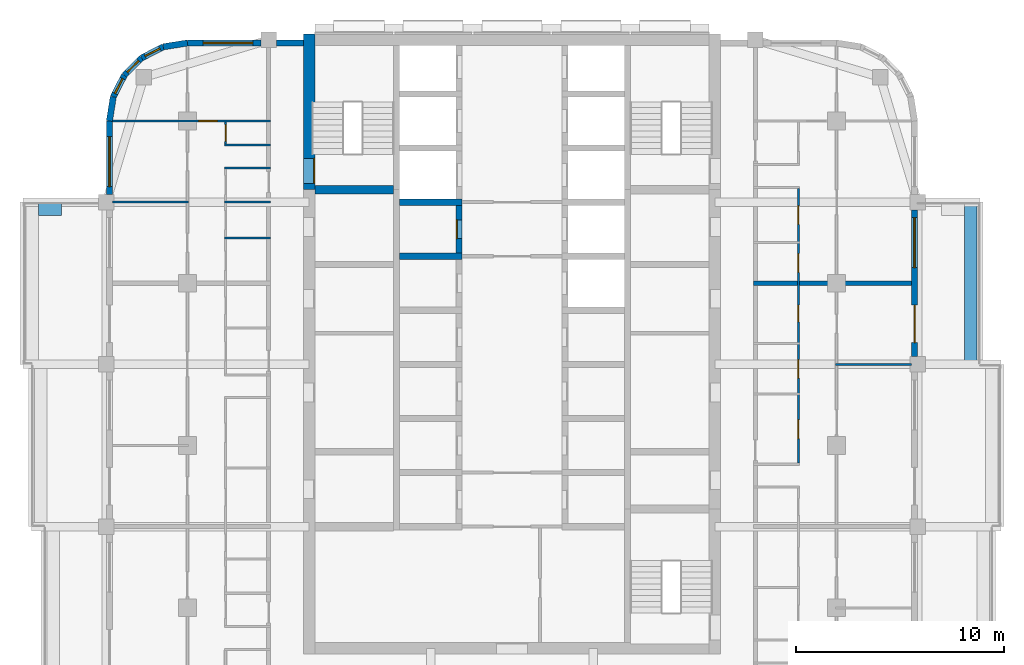
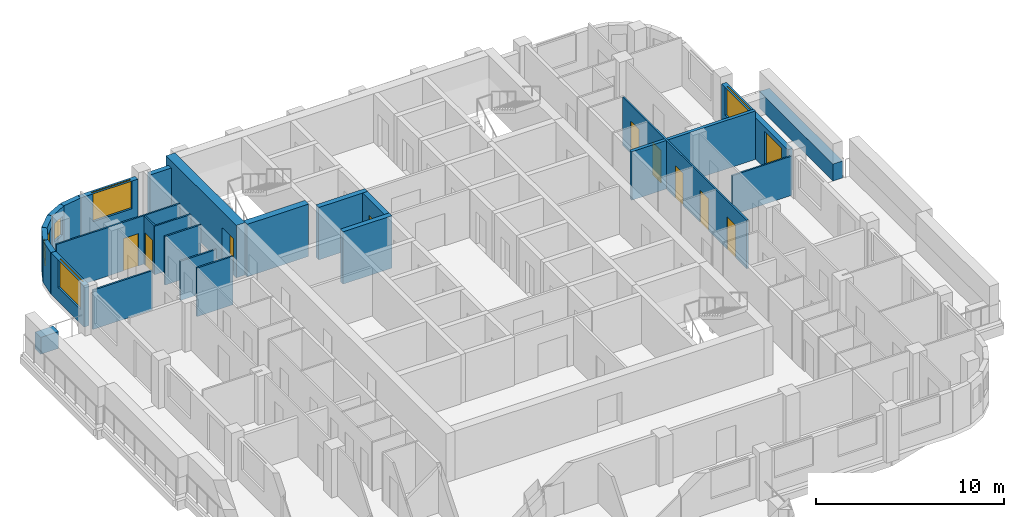
# One storey, part 7 of 13: 26 walls, 10 doors, 6 windows, 16 openings.
"""IFC4 building model written with IfcOpenShell, lengths in metres."""

from ifc_helpers import new_model, si_unit, direction, frame, frame_2d, origin, place, context, subcontext, project, spatial, rectangle, extrude, material, layer, layer_set, type_object, element, fill, save


model = new_model("IFC4")

# Units and contexts
model_context = context("Model", 3, precision=1e-05, world=origin(), true_north=direction((0.0, 1.0)))
body_context = subcontext(model_context, "Body", "Model", "MODEL_VIEW")
ifc_project = project(units=[si_unit("LENGTHUNIT", "METRE"), si_unit("AREAUNIT", "SQUARE_METRE"), si_unit("VOLUMEUNIT", "CUBIC_METRE"), si_unit("PLANEANGLEUNIT", "RADIAN"), si_unit("MASSUNIT", "GRAM", prefix="KILO")], contexts=[model_context])

# Site, building, storey
site_placement = place(None, origin())
site = spatial("IfcSite", under=ifc_project, at=site_placement, CompositionType="ELEMENT")
building_placement = place(site_placement, origin())
building = spatial("IfcBuilding", under=site, at=building_placement, Name="Ludao Terraces", CompositionType="ELEMENT")
storey_placement = place(building_placement, frame((0.0, 0.0, 165.60009765625)))
storey = spatial("IfcBuildingStorey", under=building, at=storey_placement, Name="L45", CompositionType="ELEMENT", Elevation=165.60009765625)

# Wall, opening, door
ifc_material_1 = material(Name="Concrete C60", Category="concrete")
ifc_layer_1 = layer(ifc_material_1, 0.550048828125)
ifc_layer_set_1 = layer_set([ifc_layer_1], Name="Core wall 550 C60")
wall_type_1 = type_object("IfcWallType", Name="Core wall 550 C60", PredefinedType="SOLIDWALL", material=ifc_layer_set_1)
wall_1_placement = place(storey_placement, frame((75.25, 77.300048828125, -0.25), z_axis=(0.0, 0.0, 1.0), x_axis=(0.0, 1.0, 0.0)))
wall_1 = element("IfcWall", 1, at=wall_1_placement, inside=storey, type_object=wall_type_1, Name="Core wall L45 outer-W-S1", PredefinedType="SOLIDWALL", context=body_context, shape_type="SweptSolid", body=[
    extrude(rectangle(XDim=7.474853515625, YDim=0.550048828125, at=frame_2d((3.7373046875, 0.0))), origin(), (0.0, 0.0, 1.0), 3.39990234375),
])
opening_1_placement = place(wall_1_placement, frame((0.300048828125, 0.0, 0.25)))
opening_1 = element("IfcOpeningElement", 2, at=opening_1_placement, cuts=wall_1, Name="Opening R15-075", PredefinedType="OPENING", context=body_context, shape_type="SweptSolid", body=[
    extrude(rectangle(XDim=1.199951171875, YDim=2.10009765625, at=frame_2d((0.60009765625, 1.050048828125))), frame((0.0, 0.28515625, 0.0), z_axis=(0.0, -1.0, 0.0), x_axis=(1.0, 0.0, 0.0)), (0.0, 0.0, 1.0), 0.570068359375),
])
ifc_material_2 = material(Name="Steel Q235", Category="steel")
door_type_1 = type_object("IfcDoorType", Name="INT Stair door 1200", OperationType="DOUBLE_DOOR_SINGLE_SWING", PredefinedType="DOOR", material=ifc_material_2)
door_1_placement = place(opening_1_placement, origin())
door_1 = element("IfcDoor", 3, at=door_1_placement, inside=storey, type_object=door_type_1, Name="DOOR 075", OperationType="DOUBLE_DOOR_SINGLE_SWING", OverallHeight=2.10009765625, OverallWidth=1.199951171875, PredefinedType="DOOR", context=body_context, shape_type="SweptSolid", body=[
    extrude(rectangle(XDim=1.199951171875, YDim=2.10009765625, at=frame_2d((0.60009765625, 1.050048828125))), frame((0.0, -0.2099609375, 0.0), z_axis=(0.0, -1.0, 0.0), x_axis=(1.0, 0.0, 0.0)), (0.0, 0.0, 1.0), 0.050048828125),
])
fill(opening_1, door_1)

# Walls
ifc_material_3 = material(Name="Concrete C40", Category="concrete")
ifc_layer_2 = layer(ifc_material_3, 0.60009765625)
ifc_layer_set_2 = layer_set([ifc_layer_2], Name="ENV Planter trough 600")
wall_type_2 = type_object("IfcWallType", Name="ENV Planter trough 600", PredefinedType="USERDEFINED", material=ifc_layer_set_2)
wall_2_placement = place(storey_placement, frame((107.050048828125, 68.89990234375, 0.0), z_axis=(0.0, 0.0, 1.0), x_axis=(0.0, 1.0, 0.0)))
element("IfcWall", 4, at=wall_2_placement, inside=storey, type_object=wall_type_2, Name="PL-L45-E3", ObjectType="PLANTER", PredefinedType="USERDEFINED", context=body_context, shape_type="SweptSolid", body=[
    extrude(rectangle(XDim=7.800048828125, YDim=0.60009765625, at=frame_2d((3.89990234375, 0.0))), origin(), (0.0, 0.0, 1.0), 1.099853515625),
])
wall_3_placement = place(storey_placement, frame((62.25, 76.35009765625, 0.0), z_axis=(0.0, 0.0, 1.0), x_axis=(1.0, 0.0, 0.0)))
element("IfcWall", 5, at=wall_3_placement, inside=storey, type_object=wall_type_2, Name="PL-L45-W3-SB", ObjectType="PLANTER", PredefinedType="USERDEFINED", context=body_context, shape_type="SweptSolid", body=[
    extrude(rectangle(XDim=1.10009765625, YDim=0.60009765625, at=frame_2d((0.550048828125, 0.0))), origin(), (0.0, 0.0, 1.0), 1.099853515625),
])

# Wall, openings, door, window
ifc_material_4 = material(Name="Granite cladding", Category="masonry")
ifc_layer_3 = layer(ifc_material_4, 0.0400390625, Category="stone")
ifc_material_5 = material(Name="Mineral wool")
ifc_layer_4 = layer(ifc_material_5, 0.06005859375)
ifc_layer_5 = layer(ifc_material_3, 0.199951171875, Category="concrete")
ifc_layer_set_3 = layer_set([ifc_layer_3, ifc_layer_4, ifc_layer_5], Name="ENV Stone-clad wall 300")
wall_type_3 = type_object("IfcWallType", Name="ENV Stone-clad wall 300", PredefinedType="SOLIDWALL", material=ifc_layer_set_3)
wall_4_placement = place(storey_placement, frame((104.35009765625, 69.27490234375, 0.0), z_axis=(0.0, 0.0, 1.0), x_axis=(0.0, 1.0, 0.0)))
wall_4 = element("IfcWall", 6, at=wall_4_placement, inside=storey, type_object=wall_type_3, Name="EW-L45-E4", PredefinedType="SOLIDWALL", context=body_context, shape_type="SweptSolid", body=[
    extrude(rectangle(XDim=7.050048828125, YDim=0.300048828125, at=frame_2d((3.52490234375, 0.0))), origin(), (0.0, 0.0, 1.0), 2.699951171875),
])
opening_2_placement = place(wall_4_placement, frame((0.675048828125, 0.0, 0.0)))
opening_2 = element("IfcOpeningElement", 7, at=opening_2_placement, cuts=wall_4, Name="Opening BD", PredefinedType="OPENING", context=body_context, shape_type="SweptSolid", body=[
    extrude(rectangle(XDim=1.800048828125, YDim=2.39990234375, at=frame_2d((0.89990234375, 1.199951171875))), frame((0.0, 0.16015625, 0.0), z_axis=(0.0, -1.0, 0.0), x_axis=(1.0, 0.0, 0.0)), (0.0, 0.0, 1.0), 0.320068359375),
])
opening_3_placement = place(wall_4_placement, frame((4.27490234375, 0.0, 0.89990234375)))
opening_3 = element("IfcOpeningElement", 8, at=opening_3_placement, cuts=wall_4, Name="Opening W1", PredefinedType="OPENING", context=body_context, shape_type="SweptSolid", body=[
    extrude(rectangle(XDim=2.39990234375, YDim=1.800048828125, at=frame_2d((1.199951171875, 0.89990234375))), frame((0.0, 0.16015625, 0.0), z_axis=(0.0, -1.0, 0.0), x_axis=(1.0, 0.0, 0.0)), (0.0, 0.0, 1.0), 0.320068359375),
])
ifc_material_6 = material(Name="Aluminium glazed door", Category="aluminium")
ifc_layer_6 = layer(ifc_material_6, 0.06005859375)
ifc_layer_set_4 = layer_set([ifc_layer_6], Name="ENV Balcony door BD 1800x2400")
door_type_2 = type_object("IfcDoorType", Name="ENV Balcony door BD 1800x2400", OperationType="DOUBLE_DOOR_SINGLE_SWING", PredefinedType="DOOR", material=ifc_layer_set_4)
door_2_placement = place(opening_2_placement, origin())
door_2 = element("IfcDoor", 9, at=door_2_placement, inside=storey, type_object=door_type_2, Name="BD-L45-E4-1", OperationType="DOUBLE_DOOR_SINGLE_SWING", OverallHeight=2.39990234375, OverallWidth=1.800048828125, PredefinedType="DOOR", context=body_context, shape_type="SweptSolid", body=[
    extrude(rectangle(XDim=1.800048828125, YDim=2.39990234375, at=frame_2d((0.89990234375, 1.199951171875))), frame((0.0, 0.02490234375, 0.0), z_axis=(0.0, -1.0, 0.0), x_axis=(1.0, 0.0, 0.0)), (0.0, 0.0, 1.0), 0.050048828125),
])
fill(opening_2, door_2)
ifc_material_7 = material(Name="Clear glass in aluminium frame", Category="aluminium")
ifc_layer_7 = layer(ifc_material_7, 0.06005859375)
ifc_layer_set_5 = layer_set([ifc_layer_7], Name="ENV Window W1 2400x1800")
window_type_1 = type_object("IfcWindowType", Name="ENV Window W1 2400x1800", PartitioningType="DOUBLE_PANEL_VERTICAL", PredefinedType="WINDOW", material=ifc_layer_set_5)
window_1_placement = place(opening_3_placement, origin())
window_1 = element("IfcWindow", 10, at=window_1_placement, inside=storey, type_object=window_type_1, Name="W-L45-E4-2", OverallHeight=1.800048828125, OverallWidth=2.39990234375, PartitioningType="DOUBLE_PANEL_VERTICAL", PredefinedType="WINDOW", context=body_context, shape_type="SweptSolid", body=[
    extrude(rectangle(XDim=2.39990234375, YDim=1.800048828125, at=frame_2d((1.199951171875, 0.89990234375))), frame((0.0, 0.030029296875, 0.0), z_axis=(0.0, -1.0, 0.0), x_axis=(1.0, 0.0, 0.0)), (0.0, 0.0, 1.0), 0.06005859375),
])
fill(opening_3, window_1)

# Wall, opening, window
wall_5_placement = place(storey_placement, frame((69.39990234375, 84.35009765625, 0.0), z_axis=(0.0, 0.0, 1.0), x_axis=(1.0, 0.0, 0.0)))
wall_5 = element("IfcWall", 11, at=wall_5_placement, inside=storey, type_object=wall_type_3, Name="EW-L45-N1", PredefinedType="SOLIDWALL", context=body_context, shape_type="SweptSolid", body=[
    extrude(rectangle(XDim=3.525146484375, YDim=0.300048828125, at=frame_2d((1.7626953125, 0.0))), origin(), (0.0, 0.0, 1.0), 2.699951171875),
])
opening_4_placement = place(wall_5_placement, frame((0.75, 0.0, 0.89990234375)))
opening_4 = element("IfcOpeningElement", 12, at=opening_4_placement, cuts=wall_5, Name="Opening W1", PredefinedType="OPENING", context=body_context, shape_type="SweptSolid", body=[
    extrude(rectangle(XDim=2.39990234375, YDim=1.800048828125, at=frame_2d((1.199951171875, 0.89990234375))), frame((0.0, 0.16015625, 0.0), z_axis=(0.0, -1.0, 0.0), x_axis=(1.0, 0.0, 0.0)), (0.0, 0.0, 1.0), 0.320068359375),
])
window_2_placement = place(opening_4_placement, origin())
window_2 = element("IfcWindow", 13, at=window_2_placement, inside=storey, type_object=window_type_1, Name="W-L45-N1-1", OverallHeight=1.800048828125, OverallWidth=2.39990234375, PartitioningType="DOUBLE_PANEL_VERTICAL", PredefinedType="WINDOW", context=body_context, shape_type="SweptSolid", body=[
    extrude(rectangle(XDim=2.39990234375, YDim=1.800048828125, at=frame_2d((1.199951171875, 0.89990234375))), frame((0.0, 0.030029296875, 0.0), z_axis=(0.0, -1.0, 0.0), x_axis=(1.0, 0.0, 0.0)), (0.0, 0.0, 1.0), 0.06005859375),
])
fill(opening_4, window_2)

# Wall
wall_6_placement = place(storey_placement, frame((73.675048828125, 84.35009765625, 0.0), z_axis=(0.0, 0.0, 1.0), x_axis=(1.0, 0.0, 0.0)))
element("IfcWall", 14, at=wall_6_placement, inside=storey, type_object=wall_type_3, Name="EW-L45-N2", PredefinedType="SOLIDWALL", context=body_context, shape_type="SweptSolid", body=[
    extrude(rectangle(XDim=1.300048828125, YDim=0.300048828125, at=frame_2d((0.64990234375, 0.0))), origin(), (0.0, 0.0, 1.0), 2.699951171875),
])

# Wall, opening, window
wall_7_placement = place(storey_placement, frame((65.64990234375, 77.074951171875, 0.0), z_axis=(0.0, 0.0, 1.0), x_axis=(0.0, 1.0, 0.0)))
wall_7 = element("IfcWall", 15, at=wall_7_placement, inside=storey, type_object=wall_type_3, Name="EW-L45-W5", PredefinedType="SOLIDWALL", context=body_context, shape_type="SweptSolid", body=[
    extrude(rectangle(XDim=3.525146484375, YDim=0.300048828125, at=frame_2d((1.7626953125, 0.0))), origin(), (0.0, 0.0, 1.0), 2.699951171875),
])
opening_5_placement = place(wall_7_placement, frame((0.375, 0.0, 0.89990234375)))
opening_5 = element("IfcOpeningElement", 16, at=opening_5_placement, cuts=wall_7, Name="Opening W1", PredefinedType="OPENING", context=body_context, shape_type="SweptSolid", body=[
    extrude(rectangle(XDim=2.39990234375, YDim=1.800048828125, at=frame_2d((1.199951171875, 0.89990234375))), frame((0.0, 0.16015625, 0.0), z_axis=(0.0, -1.0, 0.0), x_axis=(1.0, 0.0, 0.0)), (0.0, 0.0, 1.0), 0.320068359375),
])
window_3_placement = place(opening_5_placement, origin())
window_3 = element("IfcWindow", 17, at=window_3_placement, inside=storey, type_object=window_type_1, Name="W-L45-W5-1", OverallHeight=1.800048828125, OverallWidth=2.39990234375, PartitioningType="DOUBLE_PANEL_VERTICAL", PredefinedType="WINDOW", context=body_context, shape_type="SweptSolid", body=[
    extrude(rectangle(XDim=2.39990234375, YDim=1.800048828125, at=frame_2d((1.199951171875, 0.89990234375))), frame((0.0, 0.030029296875, 0.0), z_axis=(0.0, -1.0, 0.0), x_axis=(1.0, 0.0, 0.0)), (0.0, 0.0, 1.0), 0.06005859375),
])
fill(opening_5, window_3)

# Wall
wall_8_placement = place(storey_placement, frame((69.39990234375, 84.35009765625, 0.0), z_axis=(0.0, 0.0, 1.0), x_axis=(-0.987678452879, -0.156496880861, 0.0)))
element("IfcWall", 18, at=wall_8_placement, inside=storey, type_object=wall_type_3, Name="EW-L45-NW1", PredefinedType="SOLIDWALL", context=body_context, shape_type="SweptSolid", body=[
    extrude(rectangle(XDim=1.173095703125, YDim=0.300048828125, at=frame_2d((0.58642578125, 0.0))), origin(), (0.0, 0.0, 1.0), 2.699951171875),
])

# Wall, opening, window
wall_9_placement = place(storey_placement, frame((68.2412109375, 84.16650390625, 0.0), z_axis=(0.0, 0.0, 1.0), x_axis=(-0.890988677504, -0.454025524128, 0.0)))
wall_9 = element("IfcWall", 19, at=wall_9_placement, inside=storey, type_object=wall_type_3, Name="EW-L45-NW2", PredefinedType="SOLIDWALL", context=body_context, shape_type="SweptSolid", body=[
    extrude(rectangle(XDim=1.17333984375, YDim=0.300048828125, at=frame_2d((0.586669921875, 0.0))), origin(), (0.0, 0.0, 1.0), 2.699951171875),
])
opening_6_placement = place(wall_9_placement, frame((0.1865234375, 0.0, 0.89990234375)))
opening_6 = element("IfcOpeningElement", 20, at=opening_6_placement, cuts=wall_9, Name="Opening W3", PredefinedType="OPENING", context=body_context, shape_type="SweptSolid", body=[
    extrude(rectangle(XDim=0.800048828125, YDim=1.199951171875, at=frame_2d((0.39990234375, 0.60009765625))), frame((0.0, 0.16015625, 0.0), z_axis=(0.0, -1.0, 0.0), x_axis=(1.0, 0.0, 0.0)), (0.0, 0.0, 1.0), 0.320068359375),
])
ifc_layer_8 = layer(ifc_material_7, 0.06005859375)
ifc_layer_set_6 = layer_set([ifc_layer_8], Name="ENV Window W3 800x1200")
window_type_2 = type_object("IfcWindowType", Name="ENV Window W3 800x1200", PartitioningType="SINGLE_PANEL", PredefinedType="WINDOW", material=ifc_layer_set_6)
window_4_placement = place(opening_6_placement, origin())
window_4 = element("IfcWindow", 21, at=window_4_placement, inside=storey, type_object=window_type_2, Name="W-L45-NW2", OverallHeight=1.199951171875, OverallWidth=0.800048828125, PartitioningType="SINGLE_PANEL", PredefinedType="WINDOW", context=body_context, shape_type="SweptSolid", body=[
    extrude(rectangle(XDim=0.800048828125, YDim=1.199951171875, at=frame_2d((0.39990234375, 0.60009765625))), frame((0.0, 0.030029296875, 0.0), z_axis=(0.0, -1.0, 0.0), x_axis=(1.0, 0.0, 0.0)), (0.0, 0.0, 1.0), 0.06005859375),
])
fill(opening_6, window_4)

wall_10_placement = place(storey_placement, frame((67.19580078125, 83.6337890625, 0.0), z_axis=(0.0, 0.0, 1.0), x_axis=(-0.707106781187, -0.707106781187, 0.0)))
wall_10 = element("IfcWall", 22, at=wall_10_placement, inside=storey, type_object=wall_type_3, Name="EW-L45-NW3", PredefinedType="SOLIDWALL", context=body_context, shape_type="SweptSolid", body=[
    extrude(rectangle(XDim=1.173095703125, YDim=0.300048828125, at=frame_2d((0.58642578125, 0.0))), origin(), (0.0, 0.0, 1.0), 2.699951171875),
])
opening_7_placement = place(wall_10_placement, frame((0.1865234375, 0.0, 0.89990234375)))
opening_7 = element("IfcOpeningElement", 23, at=opening_7_placement, cuts=wall_10, Name="Opening W3", PredefinedType="OPENING", context=body_context, shape_type="SweptSolid", body=[
    extrude(rectangle(XDim=0.800048828125, YDim=1.199951171875, at=frame_2d((0.39990234375, 0.60009765625))), frame((0.0, 0.16015625, 0.0), z_axis=(0.0, -1.0, 0.0), x_axis=(1.0, 0.0, 0.0)), (0.0, 0.0, 1.0), 0.320068359375),
])
window_5_placement = place(opening_7_placement, origin())
window_5 = element("IfcWindow", 24, at=window_5_placement, inside=storey, type_object=window_type_2, Name="W-L45-NW3", OverallHeight=1.199951171875, OverallWidth=0.800048828125, PartitioningType="SINGLE_PANEL", PredefinedType="WINDOW", context=body_context, shape_type="SweptSolid", body=[
    extrude(rectangle(XDim=0.800048828125, YDim=1.199951171875, at=frame_2d((0.39990234375, 0.60009765625))), frame((0.0, 0.030029296875, 0.0), z_axis=(0.0, -1.0, 0.0), x_axis=(1.0, 0.0, 0.0)), (0.0, 0.0, 1.0), 0.06005859375),
])
fill(opening_7, window_5)

wall_11_placement = place(storey_placement, frame((66.3662109375, 82.80419921875, 0.0), z_axis=(0.0, 0.0, 1.0), x_axis=(-0.454025524128, -0.890988677504, 0.0)))
wall_11 = element("IfcWall", 25, at=wall_11_placement, inside=storey, type_object=wall_type_3, Name="EW-L45-NW4", PredefinedType="SOLIDWALL", context=body_context, shape_type="SweptSolid", body=[
    extrude(rectangle(XDim=1.17333984375, YDim=0.300048828125, at=frame_2d((0.586669921875, 0.0))), origin(), (0.0, 0.0, 1.0), 2.699951171875),
])
opening_8_placement = place(wall_11_placement, frame((0.1865234375, 0.0, 0.89990234375)))
opening_8 = element("IfcOpeningElement", 26, at=opening_8_placement, cuts=wall_11, Name="Opening W3", PredefinedType="OPENING", context=body_context, shape_type="SweptSolid", body=[
    extrude(rectangle(XDim=0.800048828125, YDim=1.199951171875, at=frame_2d((0.39990234375, 0.60009765625))), frame((0.0, 0.16015625, 0.0), z_axis=(0.0, -1.0, 0.0), x_axis=(1.0, 0.0, 0.0)), (0.0, 0.0, 1.0), 0.320068359375),
])
window_6_placement = place(opening_8_placement, origin())
window_6 = element("IfcWindow", 27, at=window_6_placement, inside=storey, type_object=window_type_2, Name="W-L45-NW4", OverallHeight=1.199951171875, OverallWidth=0.800048828125, PartitioningType="SINGLE_PANEL", PredefinedType="WINDOW", context=body_context, shape_type="SweptSolid", body=[
    extrude(rectangle(XDim=0.800048828125, YDim=1.199951171875, at=frame_2d((0.39990234375, 0.60009765625))), frame((0.0, 0.030029296875, 0.0), z_axis=(0.0, -1.0, 0.0), x_axis=(1.0, 0.0, 0.0)), (0.0, 0.0, 1.0), 0.06005859375),
])
fill(opening_8, window_6)

# Walls
wall_12_placement = place(storey_placement, frame((65.83349609375, 81.7587890625, 0.0), z_axis=(0.0, 0.0, 1.0), x_axis=(-0.156496880861, -0.987678452879, 0.0)))
element("IfcWall", 28, at=wall_12_placement, inside=storey, type_object=wall_type_3, Name="EW-L45-NW5", PredefinedType="SOLIDWALL", context=body_context, shape_type="SweptSolid", body=[
    extrude(rectangle(XDim=1.173095703125, YDim=0.300048828125, at=frame_2d((0.58642578125, 0.0))), origin(), (0.0, 0.0, 1.0), 2.699951171875),
])
ifc_material_8 = material(Name="Gypsum plasterboard", Category="gypsum")
ifc_layer_9 = layer(ifc_material_8, 0.012451171875, Category="gypsum")
ifc_layer_10 = layer(ifc_material_5, 0.06005859375, Name="insulation")
ifc_layer_11 = layer(ifc_material_2, 0.014892578125, Name="stud")
ifc_layer_12 = layer(ifc_material_8, 0.012451171875, Category="gypsum")
ifc_layer_set_7 = layer_set([ifc_layer_9, ifc_layer_10, ifc_layer_11, ifc_layer_12], Name="INT Partition 100")
wall_type_4 = type_object("IfcWallType", Name="INT Partition 100", PredefinedType="PARTITIONING", material=ifc_layer_set_7)
wall_13_placement = place(storey_placement, frame((100.550048828125, 68.89990234375, 0.0), z_axis=(0.0, 0.0, 1.0), x_axis=(1.0, 0.0, 0.0)))
element("IfcWall", 29, at=wall_13_placement, inside=storey, type_object=wall_type_4, Name="PW-L45-PW027", PredefinedType="PARTITIONING", context=body_context, shape_type="SweptSolid", body=[
    extrude(rectangle(XDim=3.650146484375, YDim=0.10009765625, at=frame_2d((1.8251953125, 0.0))), origin(), (0.0, 0.0, 1.0), 2.5498046875),
])
wall_14_placement = place(storey_placement, frame((71.18017578125, 74.969970703125, 0.0), z_axis=(0.0, 0.0, 1.0), x_axis=(1.0, 0.0, 0.0)))
element("IfcWall", 30, at=wall_14_placement, inside=storey, type_object=wall_type_4, Name="PW-L45-PW036", PredefinedType="PARTITIONING", context=body_context, shape_type="SweptSolid", body=[
    extrude(rectangle(XDim=2.219970703125, YDim=0.10009765625, at=frame_2d((1.10986328125, 0.0))), origin(), (0.0, 0.0, 1.0), 3.14990234375),
])
wall_15_placement = place(storey_placement, frame((65.800048828125, 76.699951171875, 0.0), z_axis=(0.0, 0.0, 1.0), x_axis=(1.0, 0.0, 0.0)))
element("IfcWall", 31, at=wall_15_placement, inside=storey, type_object=wall_type_4, Name="PW-L45-PW037", PredefinedType="PARTITIONING", context=body_context, shape_type="SweptSolid", body=[
    extrude(rectangle(XDim=3.650146484375, YDim=0.10009765625, at=frame_2d((1.8251953125, 0.0))), origin(), (0.0, 0.0, 1.0), 2.5498046875),
])
wall_16_placement = place(storey_placement, frame((71.18017578125, 76.699951171875, 0.0), z_axis=(0.0, 0.0, 1.0), x_axis=(1.0, 0.0, 0.0)))
element("IfcWall", 32, at=wall_16_placement, inside=storey, type_object=wall_type_4, Name="PW-L45-PW038", PredefinedType="PARTITIONING", context=body_context, shape_type="SweptSolid", body=[
    extrude(rectangle(XDim=2.219970703125, YDim=0.10009765625, at=frame_2d((1.10986328125, 0.0))), origin(), (0.0, 0.0, 1.0), 2.5498046875),
])
for number, where, z_axis, x_axis, name in (
    (33, (71.18017578125, 78.35009765625, 0.0), (0.0, 0.0, 1.0), (1.0, 0.0, 0.0), "PW-L45-PW041"),
    (34, (71.18017578125, 79.449951171875, 0.0), (0.0, 0.0, 1.0), (1.0, 0.0, 0.0), "PW-L45-PW043"),
):
    element("IfcWall", number, at=place(storey_placement, frame(where, z_axis=z_axis, x_axis=x_axis)), inside=storey, type_object=wall_type_4, Name=name, PredefinedType="PARTITIONING", context=body_context, shape_type="SweptSolid", body=[
        extrude(rectangle(XDim=2.219970703125, YDim=0.10009765625, at=frame_2d((1.10986328125, 0.0))), origin(), (0.0, 0.0, 1.0), 3.14990234375),
    ])

# Wall, opening, door
wall_17_placement = place(storey_placement, frame((65.800048828125, 80.60009765625, 0.0), z_axis=(0.0, 0.0, 1.0), x_axis=(1.0, 0.0, 0.0)))
wall_17 = element("IfcWall", 35, at=wall_17_placement, inside=storey, type_object=wall_type_4, Name="PW-L45-PW044", PredefinedType="PARTITIONING", context=body_context, shape_type="SweptSolid", body=[
    extrude(rectangle(XDim=7.60009765625, YDim=0.10009765625, at=frame_2d((3.800048828125, 0.0))), origin(), (0.0, 0.0, 1.0), 3.14990234375),
])
opening_9_placement = place(wall_17_placement, frame((4.139892578125, 0.0, 0.0)))
opening_9 = element("IfcOpeningElement", 36, at=opening_9_placement, cuts=wall_17, Name="Opening R15-081", PredefinedType="OPENING", context=body_context, shape_type="SweptSolid", body=[
    extrude(rectangle(XDim=0.89990234375, YDim=2.10009765625, at=frame_2d((0.449951171875, 1.050048828125))), frame((0.0, 0.06005859375, 0.0), z_axis=(0.0, -1.0, 0.0), x_axis=(1.0, 0.0, 0.0)), (0.0, 0.0, 1.0), 0.1201171875),
])
ifc_material_9 = material(Name="Timber door leaf", Category="wood")
door_type_3 = type_object("IfcDoorType", Name="INT Room door 900", OperationType="SINGLE_SWING_LEFT", PredefinedType="DOOR", material=ifc_material_9)
door_3_placement = place(opening_9_placement, origin())
door_3 = element("IfcDoor", 37, at=door_3_placement, inside=storey, type_object=door_type_3, Name="DOOR 081", OperationType="SINGLE_SWING_LEFT", OverallHeight=2.10009765625, OverallWidth=0.89990234375, PredefinedType="DOOR", context=body_context, shape_type="SweptSolid", body=[
    extrude(rectangle(XDim=0.89990234375, YDim=2.10009765625, at=frame_2d((0.449951171875, 1.050048828125))), frame((0.0, 0.02490234375, 0.0), z_axis=(0.0, -1.0, 0.0), x_axis=(1.0, 0.0, 0.0)), (0.0, 0.0, 1.0), 0.050048828125),
])
fill(opening_9, door_3)

wall_18_placement = place(storey_placement, frame((71.22998046875, 79.5, 0.0), z_axis=(0.0, 0.0, 1.0), x_axis=(0.0, 1.0, 0.0)))
wall_18 = element("IfcWall", 38, at=wall_18_placement, inside=storey, type_object=wall_type_4, Name="PW-L45-PW050", PredefinedType="PARTITIONING", context=body_context, shape_type="SweptSolid", body=[
    extrude(rectangle(XDim=1.050048828125, YDim=0.10009765625, at=frame_2d((0.52490234375, 0.0))), origin(), (0.0, 0.0, 1.0), 3.14990234375),
])
opening_10_placement = place(wall_18_placement, frame((0.125, 0.0, 0.0)))
opening_10 = element("IfcOpeningElement", 39, at=opening_10_placement, cuts=wall_18, Name="Opening R15-080", PredefinedType="OPENING", context=body_context, shape_type="SweptSolid", body=[
    extrude(rectangle(XDim=0.800048828125, YDim=2.10009765625, at=frame_2d((0.39990234375, 1.050048828125))), frame((0.0, 0.06005859375, 0.0), z_axis=(0.0, -1.0, 0.0), x_axis=(1.0, 0.0, 0.0)), (0.0, 0.0, 1.0), 0.1201171875),
])
door_type_4 = type_object("IfcDoorType", Name="INT Store door 800", OperationType="SINGLE_SWING_LEFT", PredefinedType="DOOR", material=ifc_material_9)
door_4_placement = place(opening_10_placement, origin())
door_4 = element("IfcDoor", 40, at=door_4_placement, inside=storey, type_object=door_type_4, Name="DOOR 080", OperationType="SINGLE_SWING_LEFT", OverallHeight=2.10009765625, OverallWidth=0.800048828125, PredefinedType="DOOR", context=body_context, shape_type="SweptSolid", body=[
    extrude(rectangle(XDim=0.800048828125, YDim=2.10009765625, at=frame_2d((0.39990234375, 1.050048828125))), frame((0.0, 0.02490234375, 0.0), z_axis=(0.0, -1.0, 0.0), x_axis=(1.0, 0.0, 0.0)), (0.0, 0.0, 1.0), 0.050048828125),
])
fill(opening_10, door_4)

# Wall, openings, doors
wall_19_placement = place(storey_placement, frame((98.77001953125, 64.150146484375, 0.0), z_axis=(0.0, 0.0, 1.0), x_axis=(0.0, 1.0, 0.0)))
wall_19 = element("IfcWall", 41, at=wall_19_placement, inside=storey, type_object=wall_type_4, Name="PW-L45-PW059", PredefinedType="PARTITIONING", context=body_context, shape_type="SweptSolid", body=[
    extrude(rectangle(XDim=13.199951171875, YDim=0.10009765625, at=frame_2d((6.60009765625, 0.0))), origin(), (0.0, 0.0, 1.0), 3.14990234375),
])
opening_11_placement = place(wall_19_placement, frame((1.18505859375, 0.0, 0.0)))
opening_11 = element("IfcOpeningElement", 42, at=opening_11_placement, cuts=wall_19, Name="Opening R15-040", PredefinedType="OPENING", context=body_context, shape_type="SweptSolid", body=[
    extrude(rectangle(XDim=0.89990234375, YDim=2.10009765625, at=frame_2d((0.449951171875, 1.050048828125))), frame((0.0, 0.06005859375, 0.0), z_axis=(0.0, -1.0, 0.0), x_axis=(1.0, 0.0, 0.0)), (0.0, 0.0, 1.0), 0.1201171875),
])
opening_12_placement = place(wall_19_placement, frame((4.0849609375, 0.0, 0.0)))
opening_12 = element("IfcOpeningElement", 43, at=opening_12_placement, cuts=wall_19, Name="Opening R15-046", PredefinedType="OPENING", context=body_context, shape_type="SweptSolid", body=[
    extrude(rectangle(XDim=0.89990234375, YDim=2.10009765625, at=frame_2d((0.449951171875, 1.050048828125))), frame((0.0, 0.06005859375, 0.0), z_axis=(0.0, -1.0, 0.0), x_axis=(1.0, 0.0, 0.0)), (0.0, 0.0, 1.0), 0.1201171875),
])
opening_13_placement = place(wall_19_placement, frame((6.800048828125, 0.0, 0.0)))
opening_13 = element("IfcOpeningElement", 44, at=opening_13_placement, cuts=wall_19, Name="Opening R15-053", PredefinedType="OPENING", context=body_context, shape_type="SweptSolid", body=[
    extrude(rectangle(XDim=0.800048828125, YDim=2.10009765625, at=frame_2d((0.39990234375, 1.050048828125))), frame((0.0, 0.06005859375, 0.0), z_axis=(0.0, -1.0, 0.0), x_axis=(1.0, 0.0, 0.0)), (0.0, 0.0, 1.0), 0.1201171875),
])
opening_14_placement = place(wall_19_placement, frame((9.175048828125, 0.0, 0.0)))
opening_14 = element("IfcOpeningElement", 45, at=opening_14_placement, cuts=wall_19, Name="Opening R15-059", PredefinedType="OPENING", context=body_context, shape_type="SweptSolid", body=[
    extrude(rectangle(XDim=0.89990234375, YDim=2.10009765625, at=frame_2d((0.449951171875, 1.050048828125))), frame((0.0, 0.06005859375, 0.0), z_axis=(0.0, -1.0, 0.0), x_axis=(1.0, 0.0, 0.0)), (0.0, 0.0, 1.0), 0.1201171875),
])
opening_15_placement = place(wall_19_placement, frame((11.47509765625, 0.0, 0.0)))
opening_15 = element("IfcOpeningElement", 46, at=opening_15_placement, cuts=wall_19, Name="Opening R15-068", PredefinedType="OPENING", context=body_context, shape_type="SweptSolid", body=[
    extrude(rectangle(XDim=0.89990234375, YDim=2.10009765625, at=frame_2d((0.449951171875, 1.050048828125))), frame((0.0, 0.06005859375, 0.0), z_axis=(0.0, -1.0, 0.0), x_axis=(1.0, 0.0, 0.0)), (0.0, 0.0, 1.0), 0.1201171875),
])
door_type_5 = type_object("IfcDoorType", Name="INT Bathroom door 900", OperationType="SINGLE_SWING_LEFT", PredefinedType="DOOR", material=ifc_material_9)
door_5_placement = place(opening_12_placement, origin())
door_5 = element("IfcDoor", 47, at=door_5_placement, inside=storey, type_object=door_type_5, Name="DOOR 046", OperationType="SINGLE_SWING_RIGHT", OverallHeight=2.10009765625, OverallWidth=0.89990234375, PredefinedType="DOOR", context=body_context, shape_type="SweptSolid", body=[
    extrude(rectangle(XDim=0.89990234375, YDim=2.10009765625, at=frame_2d((0.449951171875, 1.050048828125))), frame((0.0, 0.02490234375, 0.0), z_axis=(0.0, -1.0, 0.0), x_axis=(1.0, 0.0, 0.0)), (0.0, 0.0, 1.0), 0.050048828125),
])
fill(opening_12, door_5)
door_6_placement = place(opening_14_placement, origin())
door_6 = element("IfcDoor", 48, at=door_6_placement, inside=storey, type_object=door_type_5, Name="DOOR 059", OperationType="SINGLE_SWING_LEFT", OverallHeight=2.10009765625, OverallWidth=0.89990234375, PredefinedType="DOOR", context=body_context, shape_type="SweptSolid", body=[
    extrude(rectangle(XDim=0.89990234375, YDim=2.10009765625, at=frame_2d((0.449951171875, 1.050048828125))), frame((0.0, 0.02490234375, 0.0), z_axis=(0.0, -1.0, 0.0), x_axis=(1.0, 0.0, 0.0)), (0.0, 0.0, 1.0), 0.050048828125),
])
fill(opening_14, door_6)
door_7_placement = place(opening_11_placement, origin())
door_7 = element("IfcDoor", 49, at=door_7_placement, inside=storey, type_object=door_type_3, Name="DOOR 040", OperationType="SINGLE_SWING_LEFT", OverallHeight=2.10009765625, OverallWidth=0.89990234375, PredefinedType="DOOR", context=body_context, shape_type="SweptSolid", body=[
    extrude(rectangle(XDim=0.89990234375, YDim=2.10009765625, at=frame_2d((0.449951171875, 1.050048828125))), frame((0.0, 0.02490234375, 0.0), z_axis=(0.0, -1.0, 0.0), x_axis=(1.0, 0.0, 0.0)), (0.0, 0.0, 1.0), 0.050048828125),
])
fill(opening_11, door_7)
door_8_placement = place(opening_15_placement, origin())
door_8 = element("IfcDoor", 50, at=door_8_placement, inside=storey, type_object=door_type_3, Name="DOOR 068", OperationType="SINGLE_SWING_RIGHT", OverallHeight=2.10009765625, OverallWidth=0.89990234375, PredefinedType="DOOR", context=body_context, shape_type="SweptSolid", body=[
    extrude(rectangle(XDim=0.89990234375, YDim=2.10009765625, at=frame_2d((0.449951171875, 1.050048828125))), frame((0.0, 0.02490234375, 0.0), z_axis=(0.0, -1.0, 0.0), x_axis=(1.0, 0.0, 0.0)), (0.0, 0.0, 1.0), 0.050048828125),
])
fill(opening_15, door_8)
door_9_placement = place(opening_13_placement, origin())
door_9 = element("IfcDoor", 51, at=door_9_placement, inside=storey, type_object=door_type_4, Name="DOOR 053", OperationType="SINGLE_SWING_LEFT", OverallHeight=2.10009765625, OverallWidth=0.800048828125, PredefinedType="DOOR", context=body_context, shape_type="SweptSolid", body=[
    extrude(rectangle(XDim=0.800048828125, YDim=2.10009765625, at=frame_2d((0.39990234375, 1.050048828125))), frame((0.0, 0.02490234375, 0.0), z_axis=(0.0, -1.0, 0.0), x_axis=(1.0, 0.0, 0.0)), (0.0, 0.0, 1.0), 0.050048828125),
])
fill(opening_13, door_9)

# Walls
ifc_material_10 = material(Name="Autoclaved aerated concrete block B06 A3.5", Category="concrete")
ifc_layer_13 = layer(ifc_material_10, 0.199951171875)
ifc_layer_set_8 = layer_set([ifc_layer_13], Name="INT Party wall 200")
wall_type_5 = type_object("IfcWallType", Name="INT Party wall 200", PredefinedType="PARTITIONING", material=ifc_layer_set_8)
wall_20_placement = place(storey_placement, frame((96.60009765625, 72.800048828125, 0.0), z_axis=(0.0, 0.0, 1.0), x_axis=(1.0, 0.0, 0.0)))
element("IfcWall", 52, at=wall_20_placement, inside=storey, type_object=wall_type_5, Name="PW-L45-PW033", PredefinedType="PARTITIONING", context=body_context, shape_type="SweptSolid", body=[
    extrude(rectangle(XDim=7.60009765625, YDim=0.199951171875, at=frame_2d((3.800048828125, 0.0))), origin(), (0.0, 0.0, 1.0), 3.14990234375),
])
ifc_material_11 = material(Name="Concrete C55", Category="concrete")
ifc_layer_14 = layer(ifc_material_11, 0.300048828125)
ifc_layer_set_9 = layer_set([ifc_layer_14], Name="Shaft wall 300 C55")
wall_type_6 = type_object("IfcWallType", Name="Shaft wall 300 C55", PredefinedType="SOLIDWALL", material=ifc_layer_set_9)
wall_21_placement = place(storey_placement, frame((79.60009765625, 74.10009765625, -0.25), z_axis=(0.0, 0.0, 1.0), x_axis=(1.0, 0.0, 0.0)))
element("IfcWall", 53, at=wall_21_placement, inside=storey, type_object=wall_type_6, Name="Core wall L45 div-W6", PredefinedType="SOLIDWALL", context=body_context, shape_type="SweptSolid", body=[
    extrude(rectangle(XDim=3.0, YDim=0.300048828125, at=frame_2d((1.5, 0.0))), origin(), (0.0, 0.0, 1.0), 3.39990234375),
])

# Wall, opening, door
wall_22_placement = place(storey_placement, frame((82.449951171875, 74.25, -0.25), z_axis=(0.0, 0.0, 1.0), x_axis=(0.0, 1.0, 0.0)))
wall_22 = element("IfcWall", 54, at=wall_22_placement, inside=storey, type_object=wall_type_6, Name="Core wall L45 front-W6", PredefinedType="SOLIDWALL", context=body_context, shape_type="SweptSolid", body=[
    extrude(rectangle(XDim=2.300048828125, YDim=0.300048828125, at=frame_2d((1.14990234375, 0.0))), origin(), (0.0, 0.0, 1.0), 3.39990234375),
])
opening_16_placement = place(wall_22_placement, frame((0.699951171875, 0.0, 0.25)))
opening_16 = element("IfcOpeningElement", 55, at=opening_16_placement, cuts=wall_22, Name="Opening R15-063", PredefinedType="OPENING", context=body_context, shape_type="SweptSolid", body=[
    extrude(rectangle(XDim=0.89990234375, YDim=2.10009765625, at=frame_2d((0.449951171875, 1.050048828125))), frame((0.0, 0.16015625, 0.0), z_axis=(0.0, -1.0, 0.0), x_axis=(1.0, 0.0, 0.0)), (0.0, 0.0, 1.0), 0.320068359375),
])
door_10_placement = place(opening_16_placement, origin())
door_10 = element("IfcDoor", 56, at=door_10_placement, inside=storey, type_object=door_type_3, Name="DOOR 063", OperationType="SINGLE_SWING_LEFT", OverallHeight=2.10009765625, OverallWidth=0.89990234375, PredefinedType="DOOR", context=body_context, shape_type="SweptSolid", body=[
    extrude(rectangle(XDim=0.89990234375, YDim=2.10009765625, at=frame_2d((0.449951171875, 1.050048828125))), frame((0.0, 0.13525390625, 0.0), z_axis=(0.0, -1.0, 0.0), x_axis=(1.0, 0.0, 0.0)), (0.0, 0.0, 1.0), 0.050048828125),
])
fill(opening_16, door_10)

# Walls
wall_23_placement = place(storey_placement, frame((79.60009765625, 76.699951171875, -0.25), z_axis=(0.0, 0.0, 1.0), x_axis=(1.0, 0.0, 0.0)))
element("IfcWall", 57, at=wall_23_placement, inside=storey, type_object=wall_type_6, Name="Core wall L45 div-W7", PredefinedType="SOLIDWALL", context=body_context, shape_type="SweptSolid", body=[
    extrude(rectangle(XDim=3.0, YDim=0.300048828125, at=frame_2d((1.5, 0.0))), origin(), (0.0, 0.0, 1.0), 3.39990234375),
])
ifc_layer_15 = layer(ifc_material_11, 0.39990234375)
ifc_layer_set_10 = layer_set([ifc_layer_15], Name="Shaft wall 400 C55")
wall_type_7 = type_object("IfcWallType", Name="Shaft wall 400 C55", PredefinedType="SOLIDWALL", material=ifc_layer_set_10)
wall_24_placement = place(storey_placement, frame((75.52490234375, 77.300048828125, -0.25), z_axis=(0.0, 0.0, 1.0), x_axis=(1.0, 0.0, 0.0)))
element("IfcWall", 58, at=wall_24_placement, inside=storey, type_object=wall_type_7, Name="Core wall L45 stair-W", PredefinedType="SOLIDWALL", context=body_context, shape_type="SweptSolid", body=[
    extrude(rectangle(XDim=3.775146484375, YDim=0.39990234375, at=frame_2d((1.8876953125, 0.0))), origin(), (0.0, 0.0, 1.0), 3.39990234375),
])

save(model, "model.ifc")
